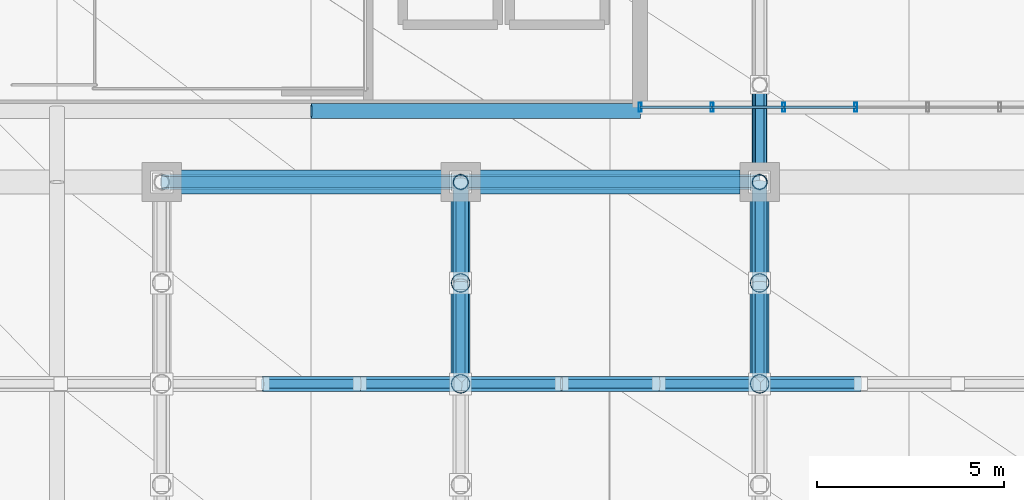
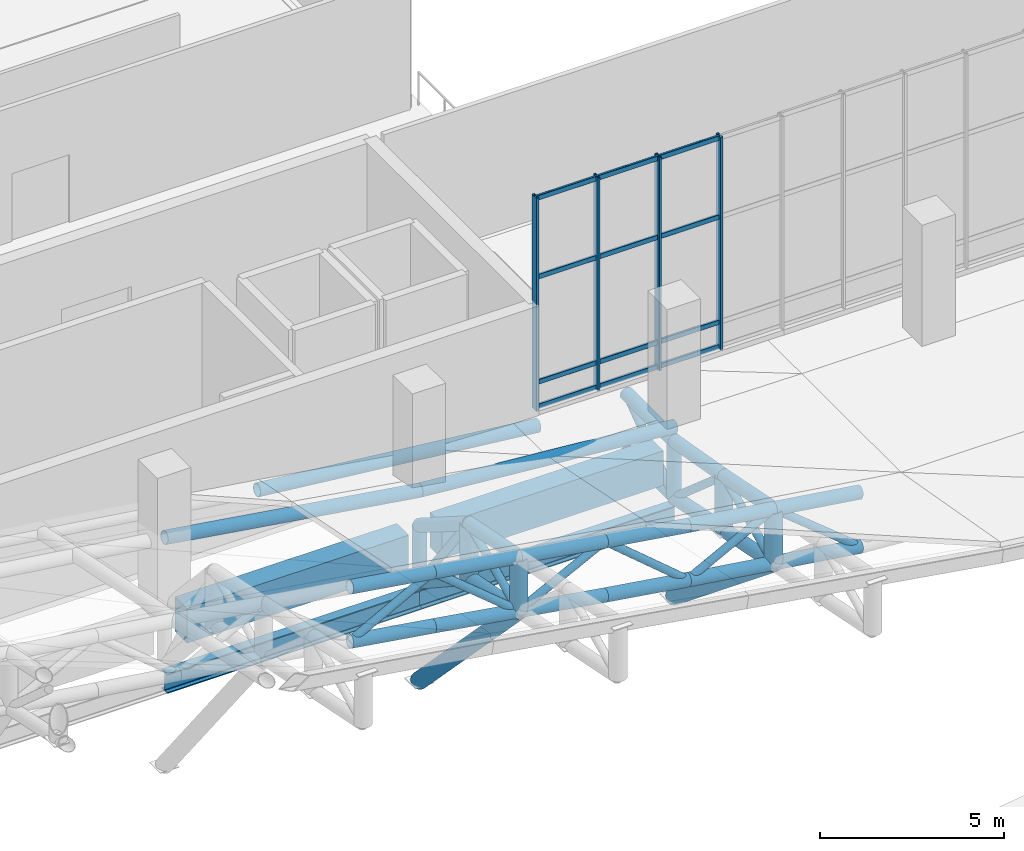
# One storey, part 24 of 137: 60 members, 4 beams, 1 element without a shape of its own.
"""IFC4 building model written with IfcOpenShell, lengths in metres."""

import ifcopenshell
import ifcopenshell.guid

model = None  # the IFC model being written
_history = None  # IfcOwnerHistory: only IFC2X3 demands one
_inside = {}  # id of a spatial element -> (the spatial element, [elements in it])
_under = {}  # id of a project, library or spatial element -> (it, [spatial elements below it])
_declared = {}  # id of a project -> (the project, [libraries it declares])
_typed = {}  # id of a type object -> (the type object, [elements of that type])
_made_of = {}  # id of a material, layer set ... -> (it, [elements and type objects made of it])


def new_model(schema):
    """Start an empty IFC model of exactly this schema.

    Asked for "IFC4X3", IfcOpenShell would pick the latest addendum, in which some entities
    have other attributes; the version numbers below select the first issue.
    IFC2X3 requires an IfcOwnerHistory on every rooted entity: one is made here for all.
    """
    global model, _history
    if schema == "IFC4X3":
        model = ifcopenshell.file(schema_version=(4, 3, 0, 0))
    else:
        model = ifcopenshell.file(schema=schema)
    _inside.clear()
    _under.clear()
    _declared.clear()
    _typed.clear()
    _made_of.clear()
    _history = None
    if model.schema == "IFC2X3":
        org = make("IfcOrganization", Name="unknown")
        user = make(
            "IfcPersonAndOrganization",
            ThePerson=make("IfcPerson", FamilyName="unknown"),
            TheOrganization=org,
        )
        app = make(
            "IfcApplication",
            ApplicationDeveloper=org,
            Version="unknown",
            ApplicationFullName="unknown",
            ApplicationIdentifier="unknown",
        )
        _history = make(
            "IfcOwnerHistory",
            OwningUser=user,
            OwningApplication=app,
            ChangeAction="ADDED",
            CreationDate=0,
        )
    return model


def make(cls, **values):
    """One entity of the class cls with the attributes given. An attribute that is None is left unset."""
    return model.create_entity(
        cls, **{name: value for name, value in values.items() if value is not None}
    )


def rooted(cls, **values):
    """An entity with a GlobalId (a new one), such as an element, a storey or a relation."""
    return make(cls, GlobalId=ifcopenshell.guid.new(), OwnerHistory=_history, **values)


def si_unit(unit_type, name, prefix=None):
    """IfcSIUnit, for example si_unit("LENGTHUNIT", "METRE", prefix="MILLI")."""
    return make("IfcSIUnit", UnitType=unit_type, Prefix=prefix, Name=name)


def assignment(units):
    """IfcUnitAssignment: the units of a project."""
    return None if units is None else make("IfcUnitAssignment", Units=units)


def point(xyz):
    """IfcCartesianPoint."""
    return None if xyz is None else make("IfcCartesianPoint", Coordinates=xyz)


def direction(xyz):
    """IfcDirection."""
    return None if xyz is None else make("IfcDirection", DirectionRatios=xyz)


def frame(location, z_axis=None, x_axis=None):
    """IfcAxis2Placement3D, a coordinate frame: its origin and axes. An axis left out is left unset."""
    return make(
        "IfcAxis2Placement3D",
        Location=point(location),
        Axis=direction(z_axis),
        RefDirection=direction(x_axis),
    )


def frame_2d(location, x_axis=None):
    """IfcAxis2Placement2D, a coordinate frame in the plane: its origin and x axis."""
    return make(
        "IfcAxis2Placement2D", Location=point(location), RefDirection=direction(x_axis)
    )


def origin():
    """The frame at (0, 0, 0) with its axes left unset."""
    return frame((0.0, 0.0, 0.0))


def origin_2d():
    """The frame at (0, 0) in the plane with its x axis left unset."""
    return frame_2d((0.0, 0.0))


def place(relative_to, where):
    """IfcLocalPlacement: puts the frame where relative to a parent placement (None: the world)."""
    return make(
        "IfcLocalPlacement", PlacementRelTo=relative_to, RelativePlacement=where
    )


def context(
    kind, dimensions, precision=None, world=None, true_north=None, identifier=None
):
    """IfcGeometricRepresentationContext, for example the 3D "Model" context."""
    return make(
        "IfcGeometricRepresentationContext",
        ContextIdentifier=identifier,
        ContextType=kind,
        CoordinateSpaceDimension=dimensions,
        Precision=precision,
        WorldCoordinateSystem=world,
        TrueNorth=true_north,
    )


def subcontext(parent, identifier, kind, view, scale=None):
    """IfcGeometricRepresentationSubContext, for example "Body" below "Model"."""
    return make(
        "IfcGeometricRepresentationSubContext",
        ContextIdentifier=identifier,
        ContextType=kind,
        ParentContext=parent,
        TargetScale=scale,
        TargetView=view,
    )


def project(units=None, contexts=None):
    """IfcProject with its units and contexts."""
    return rooted(
        "IfcProject",
        Name="project",
        RepresentationContexts=contexts,
        UnitsInContext=assignment(units),
    )


def spatial(cls, under=None, at=None, **own):
    """A site, building, storey or space (cls), placed at a placement, below another one or the project."""
    s = rooted(cls, ObjectPlacement=at, **own)
    if under is not None:
        _under.setdefault(under.id(), (under, []))[1].append(s)
    return s


def profile(cls, at=None, kind="AREA", **sizes):
    """A parametric profile (cls). Its sizes go by their IFC names, for example OverallWidth=200.0."""
    return make(cls, ProfileType=kind, Position=at, **sizes)


def rectangle(**sizes):
    """IfcRectangleProfileDef."""
    return profile("IfcRectangleProfileDef", **sizes)


def hollow_rectangle(**sizes):
    """IfcRectangleHollowProfileDef."""
    return profile("IfcRectangleHollowProfileDef", **sizes)


def hollow_circle(**sizes):
    """IfcCircleHollowProfileDef."""
    return profile("IfcCircleHollowProfileDef", **sizes)


def i_section(**sizes):
    """IfcIShapeProfileDef."""
    return profile("IfcIShapeProfileDef", **sizes)


def extrude(swept, where, along, depth):
    """IfcExtrudedAreaSolid: the profile swept, set in the frame where, extruded along a direction by depth."""
    return make(
        "IfcExtrudedAreaSolid",
        SweptArea=swept,
        Position=where,
        ExtrudedDirection=direction(along),
        Depth=depth,
    )


def shape(context_of_items, identifier, shape_type, items):
    """IfcShapeRepresentation: the items that make up one representation, for example the "Body"."""
    return make(
        "IfcShapeRepresentation",
        ContextOfItems=context_of_items,
        RepresentationIdentifier=identifier,
        RepresentationType=shape_type,
        Items=items,
    )


def material(Name=None, Category=None):
    """IfcMaterial."""
    return make("IfcMaterial", Name=Name, Category=Category)


def layer(
    of_material, thickness, ventilated=None, Name=None, Category=None, Priority=None
):
    """IfcMaterialLayer: one layer of a wall or slab, of a material (None: an air gap)."""
    return make(
        "IfcMaterialLayer",
        Material=of_material,
        LayerThickness=thickness,
        IsVentilated=ventilated,
        Name=Name,
        Category=Category,
        Priority=Priority,
    )


def layer_set(layers, Name=None):
    """IfcMaterialLayerSet."""
    return make("IfcMaterialLayerSet", MaterialLayers=layers, LayerSetName=Name)


def material_profile(
    of_material, cross_section, Name=None, Category=None, Priority=None
):
    """IfcMaterialProfile: a cross section and its material."""
    return make(
        "IfcMaterialProfile",
        Name=Name,
        Material=of_material,
        Profile=cross_section,
        Priority=Priority,
        Category=Category,
    )


def profile_set(profiles, Name=None, composite=None):
    """IfcMaterialProfileSet."""
    return make(
        "IfcMaterialProfileSet",
        Name=Name,
        MaterialProfiles=profiles,
        CompositeProfile=composite,
    )


def made_of(thing, what):
    """Note that an element or type object is made of a material, layer set ...; save() writes the relation."""
    if what is not None:
        _made_of.setdefault(what.id(), (what, []))[1].append(thing)
    return thing


def type_object(cls, material=None, **own):
    """A type object (cls), such as IfcWallType, which elements share."""
    return made_of(rooted(cls, **own), material)


def element(
    cls,
    number,
    at=None,
    inside=None,
    cuts=None,
    type_object=None,
    material=None,
    context=None,
    identifier="Body",
    shape_type=None,
    held_by="IfcProductDefinitionShape",
    body=None,
    shapes=None,
    **own,
):
    """One element of the class cls, such as IfcWall. Its Tag is "e" and its number.

    at: its placement. inside: the storey or other place that contains it. cuts: it is an
    opening in that element (IfcRelVoidsElement). A single representation is given by context,
    identifier, shape_type and body (its items); several are given by shapes. held_by: the class
    of the entity that holds the representations. save() writes the other relations.
    """
    e = rooted(cls, Tag="e%d" % number, ObjectPlacement=at, **own)
    if body is not None:
        shapes = [shape(context, identifier, shape_type, body)]
    if shapes is not None:
        e.Representation = make(held_by, Representations=shapes)
    if inside is not None:
        _inside.setdefault(inside.id(), (inside, []))[1].append(e)
    if cuts is not None:
        rooted(
            "IfcRelVoidsElement", RelatingBuildingElement=cuts, RelatedOpeningElement=e
        )
    if type_object is not None:
        _typed.setdefault(type_object.id(), (type_object, []))[1].append(e)
    return made_of(e, material)


def aggregate(whole, parts):
    """IfcRelAggregates: a whole, such as a stair, and the parts it consists of."""
    return rooted("IfcRelAggregates", RelatingObject=whole, RelatedObjects=parts)


def save(model, path):
    """Write the relations noted so far, then the file.

    IfcRelAggregates (storeys below a building ...), IfcRelContainedInSpatialStructure (elements
    in a storey), IfcRelDefinesByType, IfcRelAssociatesMaterial and IfcRelDeclares: one each for
    every whole, place, type object, material and project.
    """
    for whole, parts in _under.values():
        aggregate(whole, parts)
    for where, things in _inside.values():
        rooted(
            "IfcRelContainedInSpatialStructure",
            RelatedElements=things,
            RelatingStructure=where,
        )
    for kind, things in _typed.values():
        rooted("IfcRelDefinesByType", RelatedObjects=things, RelatingType=kind)
    for what, things in _made_of.values():
        rooted("IfcRelAssociatesMaterial", RelatedObjects=things, RelatingMaterial=what)
    for by, libraries in _declared.values():
        rooted("IfcRelDeclares", RelatingContext=by, RelatedDefinitions=libraries)
    model.write(path)


model = new_model("IFC4")

# Units and contexts
model_context = context("Model", 3, precision=1e-05, world=origin(), true_north=direction((0.0, 1.0)))
body_context = subcontext(model_context, "Body", "Model", "MODEL_VIEW")
ifc_project = project(units=[si_unit("LENGTHUNIT", "METRE"), si_unit("AREAUNIT", "SQUARE_METRE"), si_unit("VOLUMEUNIT", "CUBIC_METRE"), si_unit("PLANEANGLEUNIT", "RADIAN"), si_unit("MASSUNIT", "GRAM", prefix="KILO")], contexts=[model_context])

# Site, building, storey
site_placement = place(None, origin())
site = spatial("IfcSite", under=ifc_project, at=site_placement, CompositionType="ELEMENT")
building_placement = place(site_placement, origin())
building = spatial("IfcBuilding", under=site, at=building_placement, Name="Khorjan Park Terminus", CompositionType="ELEMENT")
storey_placement = place(building_placement, frame((0.0, 0.0, 11.4)))
storey = spatial("IfcBuildingStorey", under=building, at=storey_placement, Name="L02", CompositionType="ELEMENT", Elevation=11.4)

# Members
ifc_material_1 = material(Name="Steel S355", Category="steel")
ifc_material_profile_1 = material_profile(ifc_material_1, hollow_circle(Radius=0.1222, WallThickness=0.0125, at=origin_2d()), Name="CHS 244.5x12.5")
ifc_profile_set_1 = profile_set([ifc_material_profile_1], Name="Steel S355")
member_type_1 = type_object("IfcMemberType", Name="MB-BR-245", PredefinedType="BRACE", material=ifc_profile_set_1)
member_1_placement = place(storey_placement, frame((72.0, 26.0, -1.92), z_axis=(0.0, 0.811830357573, 0.583893372562), x_axis=(-1.0, 0.0, 0.0)))
element("IfcMember", 1, at=member_1_placement, inside=storey, type_object=member_type_1, Name="Lower shell cantilever truss diagonal (4S)", PredefinedType="BRACE", context=body_context, shape_type="SweptSolid", body=[
    extrude(hollow_circle(Radius=0.1222, WallThickness=0.0125, at=origin_2d()), origin(), (0.0, 0.0, 1.0), 3.2026),
])
ifc_material_profile_2 = material_profile(ifc_material_1, hollow_circle(Radius=0.1222, WallThickness=0.0125, at=origin_2d()), Name="CHS 244.5x12.5")
ifc_profile_set_2 = profile_set([ifc_material_profile_2], Name="Steel S355")
member_type_2 = type_object("IfcMemberType", Name="MB-BRE-245", PredefinedType="BRACE", material=ifc_profile_set_2)
member_2_placement = place(storey_placement, frame((64.0, 20.6, 0.3938), z_axis=(0.0, 0.906376008919, 0.422471928602), x_axis=(-1.0, 0.0, 0.0)))
element("IfcMember", 2, at=member_2_placement, inside=storey, type_object=member_type_2, Name="Lower shell cantilever truss diagonal (3S)", PredefinedType="BRACE", context=body_context, shape_type="SweptSolid", body=[
    extrude(hollow_circle(Radius=0.1222, WallThickness=0.0125, at=origin_2d()), origin(), (0.0, 0.0, 1.0), 2.9789),
])
member_3_placement = place(storey_placement, frame((64.0, 23.3, 1.6523), z_axis=(0.0, 0.602965135538, -0.797767538401), x_axis=(-1.0, 0.0, 0.0)))
element("IfcMember", 3, at=member_3_placement, inside=storey, type_object=member_type_2, Name="Lower shell cantilever truss diagonal (3S)", PredefinedType="BRACE", context=body_context, shape_type="SweptSolid", body=[
    extrude(hollow_circle(Radius=0.1222, WallThickness=0.0125, at=origin_2d()), origin(), (0.0, 0.0, 1.0), 4.4779),
])
member_4_placement = place(storey_placement, frame((72.0, 20.6, -0.8277), z_axis=(0.0, 0.906376008919, 0.422471928602), x_axis=(-1.0, 0.0, 0.0)))
element("IfcMember", 4, at=member_4_placement, inside=storey, type_object=member_type_2, Name="Lower shell cantilever truss diagonal (4S)", PredefinedType="BRACE", context=body_context, shape_type="SweptSolid", body=[
    extrude(hollow_circle(Radius=0.1222, WallThickness=0.0125, at=origin_2d()), origin(), (0.0, 0.0, 1.0), 2.9789),
])
member_5_placement = place(storey_placement, frame((72.0, 23.3, 0.4308), z_axis=(0.0, 0.754194044535, -0.656651614776), x_axis=(-1.0, 0.0, 0.0)))
element("IfcMember", 5, at=member_5_placement, inside=storey, type_object=member_type_2, Name="Lower shell cantilever truss diagonal (4S)", PredefinedType="BRACE", context=body_context, shape_type="SweptSolid", body=[
    extrude(hollow_circle(Radius=0.1222, WallThickness=0.0125, at=origin_2d()), origin(), (0.0, 0.0, 1.0), 3.58),
])
member_6_placement = place(storey_placement, frame((58.7, 20.6, 1.231), z_axis=(0.881106885748, 0.0, 0.472917176562), x_axis=(0.0, 1.0, 0.0)))
element("IfcMember", 6, at=member_6_placement, inside=storey, type_object=member_type_2, Name="Lower shell mid-ring diagonal (S9)", PredefinedType="BRACE", context=body_context, shape_type="SweptSolid", body=[
    extrude(hollow_circle(Radius=0.1222, WallThickness=0.0125, at=origin_2d()), origin(), (0.0, 0.0, 1.0), 2.9508),
])
member_7_placement = place(storey_placement, frame((61.3, 20.6, 2.6265), z_axis=(0.770644194056, 0.0, -0.637265663729), x_axis=(0.0, 1.0, 0.0)))
element("IfcMember", 7, at=member_7_placement, inside=storey, type_object=member_type_2, Name="Lower shell mid-ring diagonal (S10)", PredefinedType="BRACE", context=body_context, shape_type="SweptSolid", body=[
    extrude(hollow_circle(Radius=0.1222, WallThickness=0.0125, at=origin_2d()), origin(), (0.0, 0.0, 1.0), 3.5036),
])
member_8_placement = place(storey_placement, frame((64.0, 20.6, 0.3938), z_axis=(0.892129007038, 0.0, 0.451780737527), x_axis=(0.0, 1.0, 0.0)))
element("IfcMember", 8, at=member_8_placement, inside=storey, type_object=member_type_2, Name="Lower shell mid-ring diagonal (S11)", PredefinedType="BRACE", context=body_context, shape_type="SweptSolid", body=[
    extrude(hollow_circle(Radius=0.1222, WallThickness=0.0125, at=origin_2d()), origin(), (0.0, 0.0, 1.0), 3.0265),
])
member_9_placement = place(storey_placement, frame((66.7, 20.6, 1.7611), z_axis=(0.763820700234, 0.0, -0.645428491697), x_axis=(0.0, 1.0, 0.0)))
element("IfcMember", 9, at=member_9_placement, inside=storey, type_object=member_type_2, Name="Lower shell mid-ring diagonal (S12)", PredefinedType="BRACE", context=body_context, shape_type="SweptSolid", body=[
    extrude(hollow_circle(Radius=0.1222, WallThickness=0.0125, at=origin_2d()), origin(), (0.0, 0.0, 1.0), 3.4039),
])
member_10_placement = place(storey_placement, frame((69.3, 20.6, -0.4359), z_axis=(0.886651588317, 0.0, 0.462438061729), x_axis=(0.0, 1.0, 0.0)))
element("IfcMember", 10, at=member_10_placement, inside=storey, type_object=member_type_2, Name="Lower shell mid-ring diagonal (S13)", PredefinedType="BRACE", context=body_context, shape_type="SweptSolid", body=[
    extrude(hollow_circle(Radius=0.1222, WallThickness=0.0125, at=origin_2d()), origin(), (0.0, 0.0, 1.0), 3.0452),
])
member_11_placement = place(storey_placement, frame((72.0, 20.6, 0.9723), z_axis=(0.776402422587, 0.0, -0.630237477624), x_axis=(0.0, 1.0, 0.0)))
element("IfcMember", 11, at=member_11_placement, inside=storey, type_object=member_type_2, Name="Lower shell mid-ring diagonal (S14)", PredefinedType="BRACE", context=body_context, shape_type="SweptSolid", body=[
    extrude(hollow_circle(Radius=0.1222, WallThickness=0.0125, at=origin_2d()), origin(), (0.0, 0.0, 1.0), 3.4776),
])
ifc_material_profile_3 = material_profile(ifc_material_1, hollow_circle(Radius=0.1778, WallThickness=0.016, at=origin_2d()), Name="CHS 355.6x16")
ifc_profile_set_3 = profile_set([ifc_material_profile_3], Name="Steel S355")
member_type_3 = type_object("IfcMemberType", Name="MB-CH-356", PredefinedType="CHORD", material=ifc_profile_set_3)
member_12_placement = place(storey_placement, frame((72.0, 26.0, -1.92), z_axis=(0.0, 1.0, 0.0), x_axis=(-1.0, 0.0, 0.0)))
element("IfcMember", 12, at=member_12_placement, inside=storey, type_object=member_type_3, Name="Lower shell cantilever truss bottom chord (4S)", PredefinedType="CHORD", context=body_context, shape_type="SweptSolid", body=[
    extrude(hollow_circle(Radius=0.1778, WallThickness=0.016, at=origin_2d()), origin(), (0.0, 0.0, 1.0), 2.6),
])
ifc_material_profile_4 = material_profile(ifc_material_1, hollow_circle(Radius=0.2032, WallThickness=0.016, at=origin_2d()), Name="CHS 406.4x16")
ifc_profile_set_4 = profile_set([ifc_material_profile_4], Name="Steel S355")
member_type_4 = type_object("IfcMemberType", Name="MB-CH-406", PredefinedType="CHORD", material=ifc_profile_set_4)
member_13_placement = place(storey_placement, frame((60.0, 27.9, 1.3708), z_axis=(0.994375475999, 0.0, -0.105912287915), x_axis=(0.0, 1.0, 0.0)))
element("IfcMember", 13, at=member_13_placement, inside=storey, type_object=member_type_4, Name="Lower wrapping shell rim chord (76)", PredefinedType="CHORD", context=body_context, shape_type="SweptSolid", body=[
    extrude(hollow_circle(Radius=0.2032, WallThickness=0.016, at=origin_2d()), origin(), (0.0, 0.0, 1.0), 8.8498),
])
member_14_placement = place(storey_placement, frame((72.0, 26.0, -0.05), z_axis=(0.0, 1.0, 0.0), x_axis=(-1.0, 0.0, 0.0)))
element("IfcMember", 14, at=member_14_placement, inside=storey, type_object=member_type_4, Name="Lower shell cantilever truss top chord (4S)", PredefinedType="CHORD", context=body_context, shape_type="SweptSolid", body=[
    extrude(hollow_circle(Radius=0.2032, WallThickness=0.016, at=origin_2d()), origin(), (0.0, 0.0, 1.0), 2.6),
])
ifc_material_profile_5 = material_profile(ifc_material_1, hollow_circle(Radius=0.2032, WallThickness=0.016, at=origin_2d()), Name="CHS 406.4x16")
ifc_profile_set_5 = profile_set([ifc_material_profile_5], Name="Steel S355")
member_type_5 = type_object("IfcMemberType", Name="MB-CHE-406", PredefinedType="CHORD", material=ifc_profile_set_5)
member_15_placement = place(storey_placement, frame((56.0, 26.0, 2.3441), z_axis=(0.988324662192, 0.0, -0.152362600735), x_axis=(0.0, 1.0, 0.0)))
element("IfcMember", 15, at=member_15_placement, inside=storey, type_object=member_type_5, Name="Lower wrapping shell rim chord (60)", PredefinedType="CHORD", context=body_context, shape_type="SweptSolid", body=[
    extrude(hollow_circle(Radius=0.2032, WallThickness=0.016, at=origin_2d()), origin(), (0.0, 0.0, 1.0), 8.0945),
])
member_16_placement = place(storey_placement, frame((64.0, 26.0, 1.1108), z_axis=(0.996406958115, 0.0, -0.08469459144), x_axis=(0.0, 1.0, 0.0)))
element("IfcMember", 16, at=member_16_placement, inside=storey, type_object=member_type_5, Name="Lower wrapping shell rim chord (61)", PredefinedType="CHORD", context=body_context, shape_type="SweptSolid", body=[
    extrude(hollow_circle(Radius=0.2032, WallThickness=0.016, at=origin_2d()), origin(), (0.0, 0.0, 1.0), 8.0288),
])
for number, where, z_axis, x_axis, name in (
    (17, (64.0, 20.6, 2.1938), (0.0, 0.980475784127, -0.196639865594), (-1.0, 0.0, 0.0), "Lower shell cantilever truss top chord (3S)"),
    (18, (64.0, 20.6, 0.3938), (0.0, 0.980475784127, -0.196639865594), (-1.0, 0.0, 0.0), "Lower shell cantilever truss bottom chord (3S)"),
):
    element("IfcMember", number, at=place(storey_placement, frame(where, z_axis=z_axis, x_axis=x_axis)), inside=storey, type_object=member_type_5, Name=name, PredefinedType="CHORD", context=body_context, shape_type="SweptSolid", body=[
        extrude(hollow_circle(Radius=0.2032, WallThickness=0.016, at=origin_2d()), origin(), (0.0, 0.0, 1.0), 2.7538),
    ])
member_17_placement = place(storey_placement, frame((64.0, 23.3, 1.6523), z_axis=(0.0, 0.845907781047, -0.533329190991), x_axis=(-1.0, 0.0, 0.0)))
element("IfcMember", 19, at=member_17_placement, inside=storey, type_object=member_type_5, Name="Lower shell cantilever truss top chord (3S)", PredefinedType="CHORD", context=body_context, shape_type="SweptSolid", body=[
    extrude(hollow_circle(Radius=0.2032, WallThickness=0.016, at=origin_2d()), origin(), (0.0, 0.0, 1.0), 3.1918),
])
member_18_placement = place(storey_placement, frame((64.0, 23.3, -0.1477), z_axis=(0.0, 0.83598754475, -0.548748416874), x_axis=(-1.0, 0.0, 0.0)))
element("IfcMember", 20, at=member_18_placement, inside=storey, type_object=member_type_5, Name="Lower shell cantilever truss bottom chord (3S)", PredefinedType="CHORD", context=body_context, shape_type="SweptSolid", body=[
    extrude(hollow_circle(Radius=0.2032, WallThickness=0.016, at=origin_2d()), origin(), (0.0, 0.0, 1.0), 3.2297),
])
for number, where, z_axis, x_axis, name in (
    (21, (72.0, 20.6, 0.9723), (0.0, 0.980475784127, -0.196639865594), (-1.0, 0.0, 0.0), "Lower shell cantilever truss top chord (4S)"),
    (22, (72.0, 20.6, -0.8277), (0.0, 0.980475784127, -0.196639865594), (-1.0, 0.0, 0.0), "Lower shell cantilever truss bottom chord (4S)"),
):
    element("IfcMember", number, at=place(storey_placement, frame(where, z_axis=z_axis, x_axis=x_axis)), inside=storey, type_object=member_type_5, Name=name, PredefinedType="CHORD", context=body_context, shape_type="SweptSolid", body=[
        extrude(hollow_circle(Radius=0.2032, WallThickness=0.016, at=origin_2d()), origin(), (0.0, 0.0, 1.0), 2.7538),
    ])
member_19_placement = place(storey_placement, frame((72.0, 23.3, 0.4308), z_axis=(0.0, 0.98451219689, -0.175316097876), x_axis=(-1.0, 0.0, 0.0)))
element("IfcMember", 23, at=member_19_placement, inside=storey, type_object=member_type_5, Name="Lower shell cantilever truss top chord (4S)", PredefinedType="CHORD", context=body_context, shape_type="SweptSolid", body=[
    extrude(hollow_circle(Radius=0.2032, WallThickness=0.016, at=origin_2d()), origin(), (0.0, 0.0, 1.0), 2.7425),
])
member_20_placement = place(storey_placement, frame((72.0, 23.3, -1.3692), z_axis=(0.0, 0.979819726619, -0.19988322423), x_axis=(-1.0, 0.0, 0.0)))
element("IfcMember", 24, at=member_20_placement, inside=storey, type_object=member_type_5, Name="Lower shell cantilever truss bottom chord (4S)", PredefinedType="CHORD", context=body_context, shape_type="SweptSolid", body=[
    extrude(hollow_circle(Radius=0.2032, WallThickness=0.016, at=origin_2d()), origin(), (0.0, 0.0, 1.0), 2.7556),
])
for number, where, z_axis, x_axis, name in (
    (25, (58.7, 20.6, 3.031), (0.988113262008, 0.0, -0.153727620955), (0.0, 1.0, 0.0), "Lower shell mid-ring top chord (S9)"),
    (26, (58.7, 20.6, 1.231), (0.988113262008, 0.0, -0.153727620955), (0.0, 1.0, 0.0), "Lower shell mid-ring bottom chord (S9)"),
):
    element("IfcMember", number, at=place(storey_placement, frame(where, z_axis=z_axis, x_axis=x_axis)), inside=storey, type_object=member_type_5, Name=name, PredefinedType="CHORD", context=body_context, shape_type="SweptSolid", body=[
        extrude(hollow_circle(Radius=0.2032, WallThickness=0.016, at=origin_2d()), origin(), (0.0, 0.0, 1.0), 2.6313),
    ])
for number, where, z_axis, x_axis, name in (
    (27, (61.3, 20.6, 2.6265), (0.987400663901, 0.0, -0.158240098989), (0.0, 1.0, 0.0), "Lower shell mid-ring top chord (S10)"),
    (28, (61.3, 20.6, 0.8265), (0.987400663901, 0.0, -0.158240098989), (0.0, 1.0, 0.0), "Lower shell mid-ring bottom chord (S10)"),
    (29, (64.0, 20.6, 2.1938), (0.987400663901, 0.0, -0.158240098989), (0.0, 1.0, 0.0), "Lower shell mid-ring top chord (S11)"),
    (30, (64.0, 20.6, 0.3938), (0.987400663901, 0.0, -0.158240098989), (0.0, 1.0, 0.0), "Lower shell mid-ring bottom chord (S11)"),
):
    element("IfcMember", number, at=place(storey_placement, frame(where, z_axis=z_axis, x_axis=x_axis)), inside=storey, type_object=member_type_5, Name=name, PredefinedType="CHORD", context=body_context, shape_type="SweptSolid", body=[
        extrude(hollow_circle(Radius=0.2032, WallThickness=0.016, at=origin_2d()), origin(), (0.0, 0.0, 1.0), 2.7345),
    ])
for number, where, z_axis, x_axis, name in (
    (31, (66.7, 20.6, 1.7611), (0.988542493121, 0.0, -0.150942834526), (0.0, 1.0, 0.0), "Lower shell mid-ring top chord (S12)"),
    (32, (66.7, 20.6, -0.0389), (0.988542493121, 0.0, -0.150942834526), (0.0, 1.0, 0.0), "Lower shell mid-ring bottom chord (S12)"),
):
    element("IfcMember", number, at=place(storey_placement, frame(where, z_axis=z_axis, x_axis=x_axis)), inside=storey, type_object=member_type_5, Name=name, PredefinedType="CHORD", context=body_context, shape_type="SweptSolid", body=[
        extrude(hollow_circle(Radius=0.2032, WallThickness=0.016, at=origin_2d()), origin(), (0.0, 0.0, 1.0), 2.6301),
    ])
for number, where, z_axis, x_axis, name in (
    (33, (69.3, 20.6, 1.3641), (0.98963479536, 0.0, -0.143607004749), (0.0, 1.0, 0.0), "Lower shell mid-ring top chord (S13)"),
    (34, (69.3, 20.6, -0.4359), (0.98963479536, 0.0, -0.143607004749), (0.0, 1.0, 0.0), "Lower shell mid-ring bottom chord (S13)"),
    (35, (72.0, 20.6, 0.9723), (0.989640003825, 0.0, -0.143571107222), (0.0, 1.0, 0.0), "Lower shell mid-ring top chord (S14)"),
    (36, (72.0, 20.6, -0.8277), (0.989640003825, 0.0, -0.143571107222), (0.0, 1.0, 0.0), "Lower shell mid-ring bottom chord (S14)"),
):
    element("IfcMember", number, at=place(storey_placement, frame(where, z_axis=z_axis, x_axis=x_axis)), inside=storey, type_object=member_type_5, Name=name, PredefinedType="CHORD", context=body_context, shape_type="SweptSolid", body=[
        extrude(hollow_circle(Radius=0.2032, WallThickness=0.016, at=origin_2d()), origin(), (0.0, 0.0, 1.0), 2.7283),
    ])
ifc_material_profile_6 = material_profile(ifc_material_1, hollow_circle(Radius=0.2032, WallThickness=0.016, at=origin_2d()), Name="CHS 406.4x16")
ifc_profile_set_6 = profile_set([ifc_material_profile_6], Name="Steel S355")
member_type_6 = type_object("IfcMemberType", Name="MB-ST-406", PredefinedType="STRUT", material=ifc_profile_set_6)
for number, where, z_axis, x_axis, name in (
    (37, (64.0, 26.0, -1.92), (0.0, 0.0, 1.0), (1.0, 0.0, 0.0), "Lower shell cantilever truss post (3S)"),
    (38, (72.0, 26.0, -1.92), (0.0, 0.0, 1.0), (1.0, 0.0, 0.0), "Lower shell cantilever truss post (4S)"),
):
    element("IfcMember", number, at=place(storey_placement, frame(where, z_axis=z_axis, x_axis=x_axis)), inside=storey, type_object=member_type_6, Name=name, PredefinedType="STRUT", context=body_context, shape_type="SweptSolid", body=[
        extrude(hollow_circle(Radius=0.2032, WallThickness=0.016, at=origin_2d()), origin(), (0.0, 0.0, 1.0), 1.87),
    ])
ifc_material_profile_7 = material_profile(ifc_material_1, hollow_circle(Radius=0.254, WallThickness=0.02, at=origin_2d()), Name="CHS 508x20")
ifc_profile_set_7 = profile_set([ifc_material_profile_7], Name="Steel S355")
member_type_7 = type_object("IfcMemberType", Name="MB-STE-508", PredefinedType="STRUT", material=ifc_profile_set_7)
for number, where, z_axis, x_axis, name in (
    (39, (64.0, 20.6, 0.3938), (0.0, 0.0, 1.0), (1.0, 0.0, 0.0), "Lower shell cantilever truss post (3S)"),
    (40, (64.0, 23.3, -0.1477), (0.0, 0.0, 1.0), (1.0, 0.0, 0.0), "Lower shell cantilever truss post (3S)"),
):
    element("IfcMember", number, at=place(storey_placement, frame(where, z_axis=z_axis, x_axis=x_axis)), inside=storey, type_object=member_type_7, Name=name, PredefinedType="STRUT", context=body_context, shape_type="SweptSolid", body=[
        extrude(hollow_circle(Radius=0.254, WallThickness=0.02, at=origin_2d()), origin(), (0.0, 0.0, 1.0), 1.8),
    ])
member_21_placement = place(storey_placement, frame((64.0, 26.0, -5.2), z_axis=(0.0, -0.694533914635, 0.719459965127), x_axis=(1.0, 0.0, 0.0)))
element("IfcMember", 41, at=member_21_placement, inside=storey, type_object=member_type_7, Name="Lower shell raked overhang V-strut STE-51 (3S)", PredefinedType="STRUT", context=body_context, shape_type="SweptSolid", body=[
    extrude(hollow_circle(Radius=0.254, WallThickness=0.02, at=origin_2d()), origin(), (0.0, 0.0, 1.0), 7.775),
])
for number, where, z_axis, x_axis, name in (
    (42, (72.0, 20.6, -0.8277), (0.0, 0.0, 1.0), (1.0, 0.0, 0.0), "Lower shell cantilever truss post (4S)"),
    (43, (72.0, 23.3, -1.3692), (0.0, 0.0, 1.0), (1.0, 0.0, 0.0), "Lower shell cantilever truss post (4S)"),
):
    element("IfcMember", number, at=place(storey_placement, frame(where, z_axis=z_axis, x_axis=x_axis)), inside=storey, type_object=member_type_7, Name=name, PredefinedType="STRUT", context=body_context, shape_type="SweptSolid", body=[
        extrude(hollow_circle(Radius=0.254, WallThickness=0.02, at=origin_2d()), origin(), (0.0, 0.0, 1.0), 1.8),
    ])
member_22_placement = place(storey_placement, frame((72.0, 26.0, -5.2), z_axis=(0.0, -0.777183532211, 0.629273992201), x_axis=(1.0, 0.0, 0.0)))
element("IfcMember", 44, at=member_22_placement, inside=storey, type_object=member_type_7, Name="Lower shell raked overhang V-strut STE-51 (4S)", PredefinedType="STRUT", context=body_context, shape_type="SweptSolid", body=[
    extrude(hollow_circle(Radius=0.254, WallThickness=0.02, at=origin_2d()), origin(), (0.0, 0.0, 1.0), 6.9482),
])

# Curtain wall, members
ifc_material_2 = material(Name="Anodized Bronze Aluminium", Category="aluminium")
ifc_layer = layer(ifc_material_2, 0.22)
ifc_layer_set = layer_set([ifc_layer], Name="Anodized Bronze Aluminium")
curtain_wall_type = type_object("IfcCurtainWallType", Name="CW-CONC-CLR", PredefinedType="NOTDEFINED", material=ifc_layer_set)
curtain_wall_placement = place(storey_placement, origin())
curtain_wall = element("IfcCurtainWall", 45, at=curtain_wall_placement, inside=storey, type_object=curtain_wall_type, Name="Unitized curtain wall CW-CL (CW-V2-S-CLR-02)", PredefinedType="NOTDEFINED")
ifc_material_profile_8 = material_profile(ifc_material_2, hollow_rectangle(XDim=0.08, YDim=0.25, WallThickness=0.005, InnerFilletRadius=0.005, OuterFilletRadius=0.01, at=origin_2d()), Name="ALM 80x250x5")
ifc_profile_set_8 = profile_set([ifc_material_profile_8], Name="Anodized Bronze Aluminium")
member_type_8 = type_object("IfcMemberType", Name="ML-ALM-250", PredefinedType="MULLION", material=ifc_profile_set_8)
member_23_placement = place(storey_placement, frame((68.8, 28.0, 0.915), z_axis=(0.0, 0.0, 1.0), x_axis=(1.0, 0.0, 0.0)))
member_23 = element("IfcMember", 46, at=member_23_placement, type_object=member_type_8, Name="Curtain-wall mullion ML-25 (CW-V2-S-CLR-02-0)", PredefinedType="MULLION", context=body_context, shape_type="SweptSolid", body=[
    extrude(hollow_rectangle(XDim=0.08, YDim=0.25, WallThickness=0.005, InnerFilletRadius=0.005, OuterFilletRadius=0.01, at=origin_2d()), origin(), (0.0, 0.0, 1.0), 7.0716),
])
member_24_placement = place(storey_placement, frame((70.725, 28.0, 0.915), z_axis=(0.0, 0.0, 1.0), x_axis=(1.0, 0.0, 0.0)))
member_24 = element("IfcMember", 47, at=member_24_placement, type_object=member_type_8, Name="Curtain-wall mullion ML-25 (CW-V2-S-CLR-02-1)", PredefinedType="MULLION", context=body_context, shape_type="SweptSolid", body=[
    extrude(hollow_rectangle(XDim=0.08, YDim=0.25, WallThickness=0.005, InnerFilletRadius=0.005, OuterFilletRadius=0.01, at=origin_2d()), origin(), (0.0, 0.0, 1.0), 7.0716),
])
member_25_placement = place(storey_placement, frame((72.65, 28.0, 0.915), z_axis=(0.0, 0.0, 1.0), x_axis=(1.0, 0.0, 0.0)))
member_25 = element("IfcMember", 48, at=member_25_placement, type_object=member_type_8, Name="Curtain-wall mullion ML-25 (CW-V2-S-CLR-02-2)", PredefinedType="MULLION", context=body_context, shape_type="SweptSolid", body=[
    extrude(hollow_rectangle(XDim=0.08, YDim=0.25, WallThickness=0.005, InnerFilletRadius=0.005, OuterFilletRadius=0.01, at=origin_2d()), origin(), (0.0, 0.0, 1.0), 7.0716),
])
member_26_placement = place(storey_placement, frame((74.575, 28.0, 0.915), z_axis=(0.0, 0.0, 1.0), x_axis=(1.0, 0.0, 0.0)))
member_26 = element("IfcMember", 49, at=member_26_placement, type_object=member_type_8, Name="Curtain-wall mullion ML-25 (CW-V2-S-CLR-02-3)", PredefinedType="MULLION", context=body_context, shape_type="SweptSolid", body=[
    extrude(hollow_rectangle(XDim=0.08, YDim=0.25, WallThickness=0.005, InnerFilletRadius=0.005, OuterFilletRadius=0.01, at=origin_2d()), origin(), (0.0, 0.0, 1.0), 7.0716),
])

# Beams
ifc_material_profile_9 = material_profile(ifc_material_1, i_section(OverallWidth=0.3, OverallDepth=0.65, WebThickness=0.016, FlangeThickness=0.031, FilletRadius=0.027, at=origin_2d()), Name="HEB 650")
ifc_profile_set_9 = profile_set([ifc_material_profile_9], Name="Steel S355")
beam_type_1 = type_object("IfcBeamType", Name="SP-HEB650E", PredefinedType="SPANDREL", material=ifc_profile_set_9)
for number, where, z_axis, x_axis, name in (
    (50, (56.0, 26.0, -2.425), (1.0, 0.0, 0.0), (0.0, 1.0, 0.0), "Lower shell truss support girder SP-E65 (X2)"),
    (51, (64.0, 26.0, -2.425), (1.0, 0.0, 0.0), (0.0, 1.0, 0.0), "Lower shell truss support girder SP-E65 (X3)"),
):
    element("IfcBeam", number, at=place(storey_placement, frame(where, z_axis=z_axis, x_axis=x_axis)), inside=storey, type_object=beam_type_1, Name=name, PredefinedType="SPANDREL", context=body_context, shape_type="SweptSolid", body=[
        extrude(i_section(OverallWidth=0.3, OverallDepth=0.65, WebThickness=0.016, FlangeThickness=0.031, FilletRadius=0.027, at=origin_2d()), origin(), (0.0, 0.0, 1.0), 8.0),
    ])
ifc_material_3 = material(Name="Concrete C50/60", Category="concrete")
ifc_material_profile_10 = material_profile(ifc_material_3, rectangle(XDim=0.65, YDim=1.15, at=origin_2d()), Name="RC 650x1150")
ifc_profile_set_10 = profile_set([ifc_material_profile_10], Name="Concrete C50/60")
beam_type_2 = type_object("IfcBeamType", Name="SP-RC650x1150", PredefinedType="SPANDREL", material=ifc_profile_set_10)
for number, where, z_axis, x_axis, name in (
    (52, (56.52, 26.0, -0.575), (1.0, 0.0, 0.0), (0.0, 1.0, 0.0), "Concourse lower colonnade ring beam SP-11 (L02-39)"),
    (53, (64.52, 26.0, -0.575), (1.0, 0.0, 0.0), (0.0, 1.0, 0.0), "Concourse lower colonnade ring beam SP-11 (L02-41)"),
):
    element("IfcBeam", number, at=place(storey_placement, frame(where, z_axis=z_axis, x_axis=x_axis)), inside=storey, type_object=beam_type_2, Name=name, PredefinedType="SPANDREL", context=body_context, shape_type="SweptSolid", body=[
        extrude(rectangle(XDim=0.65, YDim=1.15, at=origin_2d()), origin(), (0.0, 0.0, 1.0), 6.96),
    ])

# Member
ifc_material_profile_11 = material_profile(ifc_material_2, hollow_rectangle(XDim=0.07, YDim=0.16, WallThickness=0.004, InnerFilletRadius=0.004, OuterFilletRadius=0.008, at=origin_2d()), Name="ALT 70x160x4")
ifc_profile_set_11 = profile_set([ifc_material_profile_11], Name="Anodized Bronze Aluminium")
member_type_9 = type_object("IfcMemberType", Name="TR-ALT-160", PredefinedType="USERDEFINED", material=ifc_profile_set_11)
member_27_placement = place(storey_placement, frame((68.8, 28.0, 0.99), z_axis=(1.0, 0.0, 0.0), x_axis=(0.0, 1.0, 0.0)))
member_27 = element("IfcMember", 54, at=member_27_placement, type_object=member_type_9, Name="Curtain-wall transom TR-16 (CW-V2-S-CLR-02-0-1)", ObjectType="TRANSOM", PredefinedType="USERDEFINED", context=body_context, shape_type="SweptSolid", body=[
    extrude(hollow_rectangle(XDim=0.07, YDim=0.16, WallThickness=0.004, InnerFilletRadius=0.004, OuterFilletRadius=0.008, at=origin_2d()), origin(), (0.0, 0.0, 1.0), 1.925),
])

member_28_placement = place(storey_placement, frame((68.8, 28.0, 1.8), z_axis=(1.0, 0.0, 0.0), x_axis=(0.0, 1.0, 0.0)))
member_28 = element("IfcMember", 55, at=member_28_placement, type_object=member_type_9, Name="Curtain-wall transom TR-16 (CW-V2-S-CLR-02-0-2)", ObjectType="TRANSOM", PredefinedType="USERDEFINED", context=body_context, shape_type="SweptSolid", body=[
    extrude(hollow_rectangle(XDim=0.07, YDim=0.16, WallThickness=0.004, InnerFilletRadius=0.004, OuterFilletRadius=0.008, at=origin_2d()), origin(), (0.0, 0.0, 1.0), 1.925),
])

member_29_placement = place(storey_placement, frame((68.8, 28.0, 5.291), z_axis=(1.0, 0.0, 0.0), x_axis=(0.0, 1.0, 0.0)))
member_29 = element("IfcMember", 56, at=member_29_placement, type_object=member_type_9, Name="Curtain-wall transom TR-16 (CW-V2-S-CLR-02-0-3)", ObjectType="TRANSOM", PredefinedType="USERDEFINED", context=body_context, shape_type="SweptSolid", body=[
    extrude(hollow_rectangle(XDim=0.07, YDim=0.16, WallThickness=0.004, InnerFilletRadius=0.004, OuterFilletRadius=0.008, at=origin_2d()), origin(), (0.0, 0.0, 1.0), 1.925),
])

member_30_placement = place(storey_placement, frame((68.8, 28.0, 7.9116), z_axis=(1.0, 0.0, 0.0), x_axis=(0.0, 1.0, 0.0)))
member_30 = element("IfcMember", 57, at=member_30_placement, type_object=member_type_9, Name="Curtain-wall transom TR-16 (CW-V2-S-CLR-02-0-4)", ObjectType="TRANSOM", PredefinedType="USERDEFINED", context=body_context, shape_type="SweptSolid", body=[
    extrude(hollow_rectangle(XDim=0.07, YDim=0.16, WallThickness=0.004, InnerFilletRadius=0.004, OuterFilletRadius=0.008, at=origin_2d()), origin(), (0.0, 0.0, 1.0), 1.925),
])

member_31_placement = place(storey_placement, frame((70.725, 28.0, 0.99), z_axis=(1.0, 0.0, 0.0), x_axis=(0.0, 1.0, 0.0)))
member_31 = element("IfcMember", 58, at=member_31_placement, type_object=member_type_9, Name="Curtain-wall transom TR-16 (CW-V2-S-CLR-02-1-1)", ObjectType="TRANSOM", PredefinedType="USERDEFINED", context=body_context, shape_type="SweptSolid", body=[
    extrude(hollow_rectangle(XDim=0.07, YDim=0.16, WallThickness=0.004, InnerFilletRadius=0.004, OuterFilletRadius=0.008, at=origin_2d()), origin(), (0.0, 0.0, 1.0), 1.925),
])

member_32_placement = place(storey_placement, frame((70.725, 28.0, 1.8), z_axis=(1.0, 0.0, 0.0), x_axis=(0.0, 1.0, 0.0)))
member_32 = element("IfcMember", 59, at=member_32_placement, type_object=member_type_9, Name="Curtain-wall transom TR-16 (CW-V2-S-CLR-02-1-2)", ObjectType="TRANSOM", PredefinedType="USERDEFINED", context=body_context, shape_type="SweptSolid", body=[
    extrude(hollow_rectangle(XDim=0.07, YDim=0.16, WallThickness=0.004, InnerFilletRadius=0.004, OuterFilletRadius=0.008, at=origin_2d()), origin(), (0.0, 0.0, 1.0), 1.925),
])

member_33_placement = place(storey_placement, frame((70.725, 28.0, 5.291), z_axis=(1.0, 0.0, 0.0), x_axis=(0.0, 1.0, 0.0)))
member_33 = element("IfcMember", 60, at=member_33_placement, type_object=member_type_9, Name="Curtain-wall transom TR-16 (CW-V2-S-CLR-02-1-3)", ObjectType="TRANSOM", PredefinedType="USERDEFINED", context=body_context, shape_type="SweptSolid", body=[
    extrude(hollow_rectangle(XDim=0.07, YDim=0.16, WallThickness=0.004, InnerFilletRadius=0.004, OuterFilletRadius=0.008, at=origin_2d()), origin(), (0.0, 0.0, 1.0), 1.925),
])

member_34_placement = place(storey_placement, frame((70.725, 28.0, 7.9116), z_axis=(1.0, 0.0, 0.0), x_axis=(0.0, 1.0, 0.0)))
member_34 = element("IfcMember", 61, at=member_34_placement, type_object=member_type_9, Name="Curtain-wall transom TR-16 (CW-V2-S-CLR-02-1-4)", ObjectType="TRANSOM", PredefinedType="USERDEFINED", context=body_context, shape_type="SweptSolid", body=[
    extrude(hollow_rectangle(XDim=0.07, YDim=0.16, WallThickness=0.004, InnerFilletRadius=0.004, OuterFilletRadius=0.008, at=origin_2d()), origin(), (0.0, 0.0, 1.0), 1.925),
])

member_35_placement = place(storey_placement, frame((72.65, 28.0, 0.99), z_axis=(1.0, 0.0, 0.0), x_axis=(0.0, 1.0, 0.0)))
member_35 = element("IfcMember", 62, at=member_35_placement, type_object=member_type_9, Name="Curtain-wall transom TR-16 (CW-V2-S-CLR-02-2-1)", ObjectType="TRANSOM", PredefinedType="USERDEFINED", context=body_context, shape_type="SweptSolid", body=[
    extrude(hollow_rectangle(XDim=0.07, YDim=0.16, WallThickness=0.004, InnerFilletRadius=0.004, OuterFilletRadius=0.008, at=origin_2d()), origin(), (0.0, 0.0, 1.0), 1.925),
])

member_36_placement = place(storey_placement, frame((72.65, 28.0, 1.8), z_axis=(1.0, 0.0, 0.0), x_axis=(0.0, 1.0, 0.0)))
member_36 = element("IfcMember", 63, at=member_36_placement, type_object=member_type_9, Name="Curtain-wall transom TR-16 (CW-V2-S-CLR-02-2-2)", ObjectType="TRANSOM", PredefinedType="USERDEFINED", context=body_context, shape_type="SweptSolid", body=[
    extrude(hollow_rectangle(XDim=0.07, YDim=0.16, WallThickness=0.004, InnerFilletRadius=0.004, OuterFilletRadius=0.008, at=origin_2d()), origin(), (0.0, 0.0, 1.0), 1.925),
])

member_37_placement = place(storey_placement, frame((72.65, 28.0, 5.291), z_axis=(1.0, 0.0, 0.0), x_axis=(0.0, 1.0, 0.0)))
member_37 = element("IfcMember", 64, at=member_37_placement, type_object=member_type_9, Name="Curtain-wall transom TR-16 (CW-V2-S-CLR-02-2-3)", ObjectType="TRANSOM", PredefinedType="USERDEFINED", context=body_context, shape_type="SweptSolid", body=[
    extrude(hollow_rectangle(XDim=0.07, YDim=0.16, WallThickness=0.004, InnerFilletRadius=0.004, OuterFilletRadius=0.008, at=origin_2d()), origin(), (0.0, 0.0, 1.0), 1.925),
])

member_38_placement = place(storey_placement, frame((72.65, 28.0, 7.9116), z_axis=(1.0, 0.0, 0.0), x_axis=(0.0, 1.0, 0.0)))
member_38 = element("IfcMember", 65, at=member_38_placement, type_object=member_type_9, Name="Curtain-wall transom TR-16 (CW-V2-S-CLR-02-2-4)", ObjectType="TRANSOM", PredefinedType="USERDEFINED", context=body_context, shape_type="SweptSolid", body=[
    extrude(hollow_rectangle(XDim=0.07, YDim=0.16, WallThickness=0.004, InnerFilletRadius=0.004, OuterFilletRadius=0.008, at=origin_2d()), origin(), (0.0, 0.0, 1.0), 1.925),
])

aggregate(curtain_wall, [member_23, member_24, member_25, member_26, member_27, member_28, member_29, member_30, member_31, member_32, member_33, member_34, member_35, member_36, member_37, member_38])

save(model, "model.ifc")
